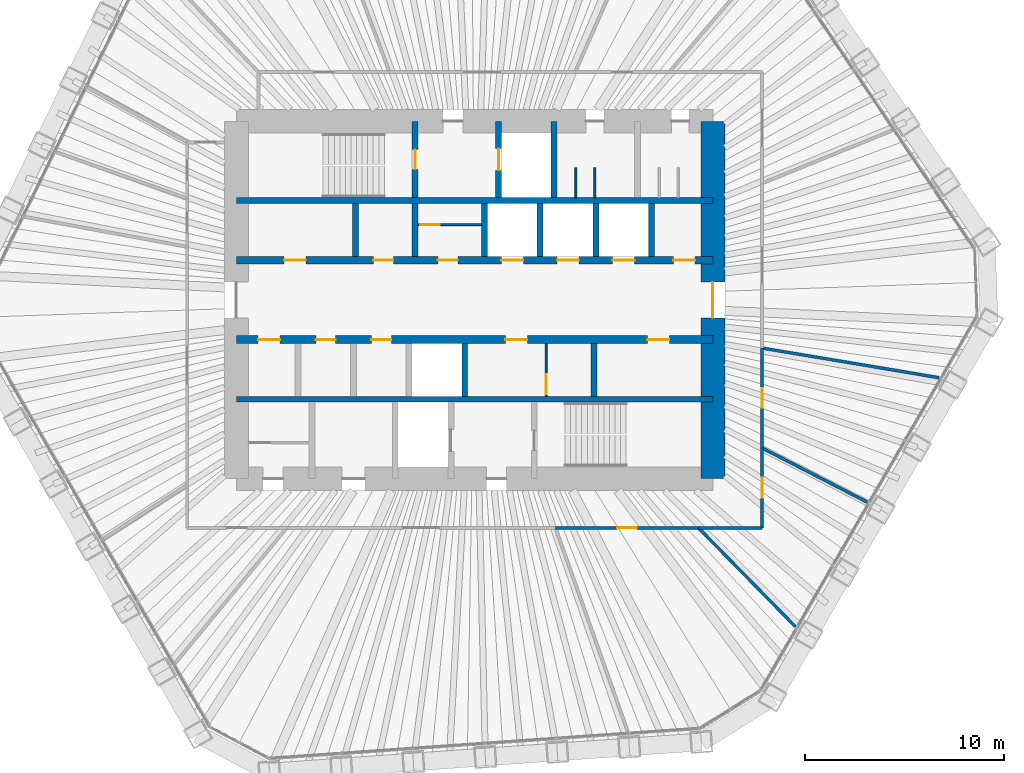
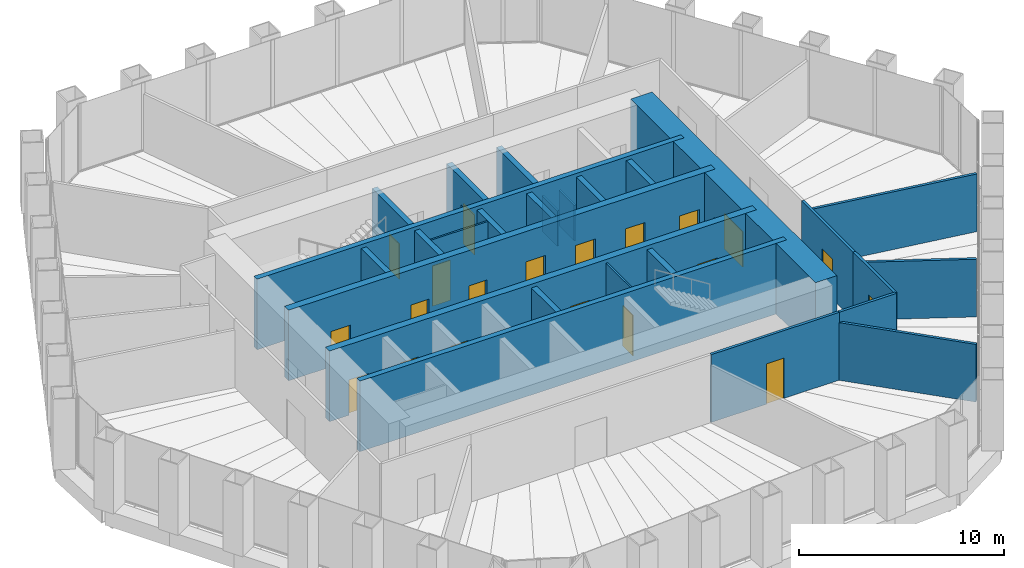
# One storey, part 11 of 13: 27 walls, 20 doors, 20 openings.
"""IFC4 building model written with IfcOpenShell, lengths in metres."""

from ifc_helpers import new_model, si_unit, direction, frame, frame_2d, origin, place, context, subcontext, project, spatial, rectangle, extrude, material, layer, layer_set, type_object, element, fill, save


model = new_model("IFC4")

# Units and contexts
model_context = context("Model", 3, precision=1e-05, world=origin(), true_north=direction((0.0, 1.0)))
body_context = subcontext(model_context, "Body", "Model", "MODEL_VIEW")
ifc_project = project(units=[si_unit("LENGTHUNIT", "METRE"), si_unit("AREAUNIT", "SQUARE_METRE"), si_unit("VOLUMEUNIT", "CUBIC_METRE"), si_unit("PLANEANGLEUNIT", "RADIAN"), si_unit("MASSUNIT", "GRAM", prefix="KILO")], contexts=[model_context])

# Site, building, storey
site_placement = place(None, origin())
site = spatial("IfcSite", under=ifc_project, at=site_placement, CompositionType="ELEMENT")
building_placement = place(site_placement, origin())
building = spatial("IfcBuilding", under=site, at=building_placement, Name="Qingtian Harvest Tower", CompositionType="ELEMENT")
storey_placement = place(building_placement, frame((0.0, 0.0, 193.0)))
storey = spatial("IfcBuildingStorey", under=building, at=storey_placement, Name="L41", CompositionType="ELEMENT", Elevation=193.0)

# Walls
ifc_material_1 = material(Name="Concrete fc' 70 MPa", Category="concrete")
ifc_layer_1 = layer(ifc_material_1, 0.300048828125)
ifc_layer_set_1 = layer_set([ifc_layer_1], Name="Core inner wall RC5 300")
wall_type_1 = type_object("IfcWallType", Name="Core inner wall RC5 300", PredefinedType="SHEAR", material=ifc_layer_set_1)
for number, where, z_axis, x_axis, name in (
    (1, (-12.0, 5.0, 0.0), (0.0, 0.0, 1.0), (1.0, 0.0, 0.0), "Core wall IN5 L41"),
    (2, (-12.0, -5.0, 0.0), (0.0, 0.0, 1.0), (1.0, 0.0, 0.0), "Core wall IS5 L41"),
):
    element("IfcWall", number, at=place(storey_placement, frame(where, z_axis=z_axis, x_axis=x_axis)), inside=storey, type_object=wall_type_1, Name=name, PredefinedType="SHEAR", context=body_context, shape_type="SweptSolid", body=[
        extrude(rectangle(XDim=24.0, YDim=0.300048828125, at=frame_2d((12.0, 0.0))), origin(), (0.0, 0.0, 1.0), 4.199951171875),
    ])

# Wall, openings, doors
ifc_material_2 = material(Name="Concrete fc' 70 MPa", Category="concrete")
ifc_layer_2 = layer(ifc_material_2, 0.39990234375)
ifc_layer_set_2 = layer_set([ifc_layer_2], Name="Core inner web RC6 400")
wall_type_2 = type_object("IfcWallType", Name="Core inner web RC6 400", PredefinedType="SHEAR", material=ifc_layer_set_2)
wall_1_placement = place(storey_placement, frame((-12.0, 2.0, 0.0), z_axis=(0.0, 0.0, 1.0), x_axis=(1.0, 0.0, 0.0)))
wall_1 = element("IfcWall", 3, at=wall_1_placement, inside=storey, type_object=wall_type_2, Name="Core wall IN2 L41", PredefinedType="SHEAR", context=body_context, shape_type="SweptSolid", body=[
    extrude(rectangle(XDim=24.0, YDim=0.39990234375, at=frame_2d((12.0, 0.0))), origin(), (0.0, 0.0, 1.0), 4.199951171875),
])
opening_1_placement = place(wall_1_placement, frame((2.39990234375, 0.0, 0.0)))
opening_1 = element("IfcOpeningElement", 4, at=opening_1_placement, cuts=wall_1, Name="Opening FD4", PredefinedType="OPENING", context=body_context, shape_type="SweptSolid", body=[
    extrude(rectangle(XDim=1.10009765625, YDim=2.10009765625, at=frame_2d((0.550048828125, 1.050048828125))), frame((0.0, 0.2099609375, 0.0), z_axis=(0.0, -1.0, 0.0), x_axis=(1.0, 0.0, 0.0)), (0.0, 0.0, 1.0), 0.419921875),
])
opening_2_placement = place(wall_1_placement, frame((22.0, 0.0, 0.0)))
opening_2 = element("IfcOpeningElement", 5, at=opening_2_placement, cuts=wall_1, Name="Opening FD4", PredefinedType="OPENING", context=body_context, shape_type="SweptSolid", body=[
    extrude(rectangle(XDim=1.10009765625, YDim=2.10009765625, at=frame_2d((0.550048828125, 1.050048828125))), frame((0.0, 0.2099609375, 0.0), z_axis=(0.0, -1.0, 0.0), x_axis=(1.0, 0.0, 0.0)), (0.0, 0.0, 1.0), 0.419921875),
])
opening_3_placement = place(wall_1_placement, frame((10.14990234375, 0.0, 0.0)))
opening_3 = element("IfcOpeningElement", 6, at=opening_3_placement, cuts=wall_1, Name="Opening FD1", PredefinedType="OPENING", context=body_context, shape_type="SweptSolid", body=[
    extrude(rectangle(XDim=1.0, YDim=2.10009765625, at=frame_2d((0.5, 1.050048828125))), frame((0.0, 0.2099609375, 0.0), z_axis=(0.0, -1.0, 0.0), x_axis=(1.0, 0.0, 0.0)), (0.0, 0.0, 1.0), 0.419921875),
])
opening_4_placement = place(wall_1_placement, frame((6.89990234375, 0.0, 0.0)))
opening_4 = element("IfcOpeningElement", 7, at=opening_4_placement, cuts=wall_1, Name="Opening FD1", PredefinedType="OPENING", context=body_context, shape_type="SweptSolid", body=[
    extrude(rectangle(XDim=1.0, YDim=2.10009765625, at=frame_2d((0.5, 1.050048828125))), frame((0.0, 0.2099609375, 0.0), z_axis=(0.0, -1.0, 0.0), x_axis=(1.0, 0.0, 0.0)), (0.0, 0.0, 1.0), 0.419921875),
])
opening_5_placement = place(wall_1_placement, frame((13.35009765625, 0.0, 0.0)))
opening_5 = element("IfcOpeningElement", 8, at=opening_5_placement, cuts=wall_1, Name="Opening LD1", PredefinedType="OPENING", context=body_context, shape_type="SweptSolid", body=[
    extrude(rectangle(XDim=1.10009765625, YDim=2.39990234375, at=frame_2d((0.550048828125, 1.199951171875))), frame((0.0, 0.2099609375, 0.0), z_axis=(0.0, -1.0, 0.0), x_axis=(1.0, 0.0, 0.0)), (0.0, 0.0, 1.0), 0.419921875),
])
opening_6_placement = place(wall_1_placement, frame((16.14990234375, 0.0, 0.0)))
opening_6 = element("IfcOpeningElement", 9, at=opening_6_placement, cuts=wall_1, Name="Opening LD1", PredefinedType="OPENING", context=body_context, shape_type="SweptSolid", body=[
    extrude(rectangle(XDim=1.10009765625, YDim=2.39990234375, at=frame_2d((0.550048828125, 1.199951171875))), frame((0.0, 0.2099609375, 0.0), z_axis=(0.0, -1.0, 0.0), x_axis=(1.0, 0.0, 0.0)), (0.0, 0.0, 1.0), 0.419921875),
])
opening_7_placement = place(wall_1_placement, frame((18.949951171875, 0.0, 0.0)))
opening_7 = element("IfcOpeningElement", 10, at=opening_7_placement, cuts=wall_1, Name="Opening LD1", PredefinedType="OPENING", context=body_context, shape_type="SweptSolid", body=[
    extrude(rectangle(XDim=1.10009765625, YDim=2.39990234375, at=frame_2d((0.550048828125, 1.199951171875))), frame((0.0, 0.2099609375, 0.0), z_axis=(0.0, -1.0, 0.0), x_axis=(1.0, 0.0, 0.0)), (0.0, 0.0, 1.0), 0.419921875),
])
ifc_material_3 = material(Name="Steel-faced door leaf", Category="steel")
door_type_1 = type_object("IfcDoorType", Name="Fire door FD1 single 1 HR", OperationType="SINGLE_SWING_LEFT", PredefinedType="DOOR", material=ifc_material_3)
door_1_placement = place(opening_3_placement, origin())
door_1 = element("IfcDoor", 11, at=door_1_placement, inside=storey, type_object=door_type_1, Name="STA door L41", OperationType="SINGLE_SWING_LEFT", OverallHeight=2.10009765625, OverallWidth=1.0, PredefinedType="DOOR", context=body_context, shape_type="SweptSolid", body=[
    extrude(rectangle(XDim=1.0, YDim=2.10009765625, at=frame_2d((0.5, 1.050048828125))), frame((0.0, 0.02490234375, 0.0), z_axis=(0.0, -1.0, 0.0), x_axis=(1.0, 0.0, 0.0)), (0.0, 0.0, 1.0), 0.050048828125),
])
fill(opening_3, door_1)
door_2_placement = place(opening_4_placement, origin())
door_2 = element("IfcDoor", 12, at=door_2_placement, inside=storey, type_object=door_type_1, Name="Pantry door L41", OperationType="SINGLE_SWING_LEFT", OverallHeight=2.10009765625, OverallWidth=1.0, PredefinedType="DOOR", context=body_context, shape_type="SweptSolid", body=[
    extrude(rectangle(XDim=1.0, YDim=2.10009765625, at=frame_2d((0.5, 1.050048828125))), frame((0.0, 0.02490234375, 0.0), z_axis=(0.0, -1.0, 0.0), x_axis=(1.0, 0.0, 0.0)), (0.0, 0.0, 1.0), 0.050048828125),
])
fill(opening_4, door_2)
ifc_material_4 = material(Name="Steel-faced door leaf", Category="steel")
door_type_2 = type_object("IfcDoorType", Name="Fire door FD4 single 2 HR", OperationType="SINGLE_SWING_LEFT", PredefinedType="DOOR", material=ifc_material_4)
door_3_placement = place(opening_1_placement, origin())
door_3 = element("IfcDoor", 13, at=door_3_placement, inside=storey, type_object=door_type_2, Name="RA door L41", OperationType="SINGLE_SWING_LEFT", OverallHeight=2.10009765625, OverallWidth=1.10009765625, PredefinedType="DOOR", context=body_context, shape_type="SweptSolid", body=[
    extrude(rectangle(XDim=1.10009765625, YDim=2.10009765625, at=frame_2d((0.550048828125, 1.050048828125))), frame((0.0, 0.02490234375, 0.0), z_axis=(0.0, -1.0, 0.0), x_axis=(1.0, 0.0, 0.0)), (0.0, 0.0, 1.0), 0.050048828125),
])
fill(opening_1, door_3)
door_4_placement = place(opening_2_placement, origin())
door_4 = element("IfcDoor", 14, at=door_4_placement, inside=storey, type_object=door_type_2, Name="AHU door L41", OperationType="SINGLE_SWING_RIGHT", OverallHeight=2.10009765625, OverallWidth=1.10009765625, PredefinedType="DOOR", context=body_context, shape_type="SweptSolid", body=[
    extrude(rectangle(XDim=1.10009765625, YDim=2.10009765625, at=frame_2d((0.550048828125, 1.050048828125))), frame((0.0, 0.02490234375, 0.0), z_axis=(0.0, -1.0, 0.0), x_axis=(1.0, 0.0, 0.0)), (0.0, 0.0, 1.0), 0.050048828125),
])
fill(opening_2, door_4)
ifc_material_5 = material(Name="Stainless steel lift landing door", Category="steel")
door_type_3 = type_object("IfcDoorType", Name="Lift landing door LD1 1 HR", OperationType="DOUBLE_DOOR_SLIDING", PredefinedType="DOOR", material=ifc_material_5)
door_5_placement = place(opening_5_placement, origin())
door_5 = element("IfcDoor", 15, at=door_5_placement, inside=storey, type_object=door_type_3, Name="PLC1 landing door L41", OperationType="DOUBLE_DOOR_SLIDING", OverallHeight=2.39990234375, OverallWidth=1.10009765625, PredefinedType="DOOR", context=body_context, shape_type="SweptSolid", body=[
    extrude(rectangle(XDim=1.10009765625, YDim=2.39990234375, at=frame_2d((0.550048828125, 1.199951171875))), frame((0.0, 0.02490234375, 0.0), z_axis=(0.0, -1.0, 0.0), x_axis=(1.0, 0.0, 0.0)), (0.0, 0.0, 1.0), 0.050048828125),
])
fill(opening_5, door_5)
door_6_placement = place(opening_6_placement, origin())
door_6 = element("IfcDoor", 16, at=door_6_placement, inside=storey, type_object=door_type_3, Name="PLC2 landing door L41", OperationType="DOUBLE_DOOR_SLIDING", OverallHeight=2.39990234375, OverallWidth=1.10009765625, PredefinedType="DOOR", context=body_context, shape_type="SweptSolid", body=[
    extrude(rectangle(XDim=1.10009765625, YDim=2.39990234375, at=frame_2d((0.550048828125, 1.199951171875))), frame((0.0, 0.02490234375, 0.0), z_axis=(0.0, -1.0, 0.0), x_axis=(1.0, 0.0, 0.0)), (0.0, 0.0, 1.0), 0.050048828125),
])
fill(opening_6, door_6)
door_7_placement = place(opening_7_placement, origin())
door_7 = element("IfcDoor", 17, at=door_7_placement, inside=storey, type_object=door_type_3, Name="PLC3 landing door L41", OperationType="DOUBLE_DOOR_SLIDING", OverallHeight=2.39990234375, OverallWidth=1.10009765625, PredefinedType="DOOR", context=body_context, shape_type="SweptSolid", body=[
    extrude(rectangle(XDim=1.10009765625, YDim=2.39990234375, at=frame_2d((0.550048828125, 1.199951171875))), frame((0.0, 0.02490234375, 0.0), z_axis=(0.0, -1.0, 0.0), x_axis=(1.0, 0.0, 0.0)), (0.0, 0.0, 1.0), 0.050048828125),
])
fill(opening_7, door_7)

wall_2_placement = place(storey_placement, frame((-12.0, -2.0, 0.0), z_axis=(0.0, 0.0, 1.0), x_axis=(1.0, 0.0, 0.0)))
wall_2 = element("IfcWall", 18, at=wall_2_placement, inside=storey, type_object=wall_type_2, Name="Core wall IS2 L41", PredefinedType="SHEAR", context=body_context, shape_type="SweptSolid", body=[
    extrude(rectangle(XDim=24.0, YDim=0.39990234375, at=frame_2d((12.0, 0.0))), origin(), (0.0, 0.0, 1.0), 4.199951171875),
])
opening_8_placement = place(wall_2_placement, frame((1.10009765625, 0.0, 0.0)))
opening_8 = element("IfcOpeningElement", 19, at=opening_8_placement, cuts=wall_2, Name="Opening FD4", PredefinedType="OPENING", context=body_context, shape_type="SweptSolid", body=[
    extrude(rectangle(XDim=1.10009765625, YDim=2.10009765625, at=frame_2d((0.550048828125, 1.050048828125))), frame((0.0, 0.2099609375, 0.0), z_axis=(0.0, -1.0, 0.0), x_axis=(1.0, 0.0, 0.0)), (0.0, 0.0, 1.0), 0.419921875),
])
opening_9_placement = place(wall_2_placement, frame((13.550048828125, 0.0, 0.0)))
opening_9 = element("IfcOpeningElement", 20, at=opening_9_placement, cuts=wall_2, Name="Opening FD4", PredefinedType="OPENING", context=body_context, shape_type="SweptSolid", body=[
    extrude(rectangle(XDim=1.10009765625, YDim=2.10009765625, at=frame_2d((0.550048828125, 1.050048828125))), frame((0.0, 0.2099609375, 0.0), z_axis=(0.0, -1.0, 0.0), x_axis=(1.0, 0.0, 0.0)), (0.0, 0.0, 1.0), 0.419921875),
])
opening_10_placement = place(wall_2_placement, frame((20.699951171875, 0.0, 0.0)))
opening_10 = element("IfcOpeningElement", 21, at=opening_10_placement, cuts=wall_2, Name="Opening FD4", PredefinedType="OPENING", context=body_context, shape_type="SweptSolid", body=[
    extrude(rectangle(XDim=1.10009765625, YDim=2.10009765625, at=frame_2d((0.550048828125, 1.050048828125))), frame((0.0, 0.2099609375, 0.0), z_axis=(0.0, -1.0, 0.0), x_axis=(1.0, 0.0, 0.0)), (0.0, 0.0, 1.0), 0.419921875),
])
opening_11_placement = place(wall_2_placement, frame((4.0, 0.0, 0.0)))
opening_11 = element("IfcOpeningElement", 22, at=opening_11_placement, cuts=wall_2, Name="Opening FD1", PredefinedType="OPENING", context=body_context, shape_type="SweptSolid", body=[
    extrude(rectangle(XDim=1.0, YDim=2.10009765625, at=frame_2d((0.5, 1.050048828125))), frame((0.0, 0.2099609375, 0.0), z_axis=(0.0, -1.0, 0.0), x_axis=(1.0, 0.0, 0.0)), (0.0, 0.0, 1.0), 0.419921875),
])
opening_12_placement = place(wall_2_placement, frame((6.800048828125, 0.0, 0.0)))
opening_12 = element("IfcOpeningElement", 23, at=opening_12_placement, cuts=wall_2, Name="Opening FD1", PredefinedType="OPENING", context=body_context, shape_type="SweptSolid", body=[
    extrude(rectangle(XDim=1.0, YDim=2.10009765625, at=frame_2d((0.5, 1.050048828125))), frame((0.0, 0.2099609375, 0.0), z_axis=(0.0, -1.0, 0.0), x_axis=(1.0, 0.0, 0.0)), (0.0, 0.0, 1.0), 0.419921875),
])
door_8_placement = place(opening_11_placement, origin())
door_8 = element("IfcDoor", 24, at=door_8_placement, inside=storey, type_object=door_type_1, Name="Store door L41", OperationType="SINGLE_SWING_RIGHT", OverallHeight=2.10009765625, OverallWidth=1.0, PredefinedType="DOOR", context=body_context, shape_type="SweptSolid", body=[
    extrude(rectangle(XDim=1.0, YDim=2.10009765625, at=frame_2d((0.5, 1.050048828125))), frame((0.0, 0.02490234375, 0.0), z_axis=(0.0, -1.0, 0.0), x_axis=(1.0, 0.0, 0.0)), (0.0, 0.0, 1.0), 0.050048828125),
])
fill(opening_11, door_8)
door_9_placement = place(opening_12_placement, origin())
door_9 = element("IfcDoor", 25, at=door_9_placement, inside=storey, type_object=door_type_1, Name="Linen store door L41", OperationType="SINGLE_SWING_RIGHT", OverallHeight=2.10009765625, OverallWidth=1.0, PredefinedType="DOOR", context=body_context, shape_type="SweptSolid", body=[
    extrude(rectangle(XDim=1.0, YDim=2.10009765625, at=frame_2d((0.5, 1.050048828125))), frame((0.0, 0.02490234375, 0.0), z_axis=(0.0, -1.0, 0.0), x_axis=(1.0, 0.0, 0.0)), (0.0, 0.0, 1.0), 0.050048828125),
])
fill(opening_12, door_9)
door_10_placement = place(opening_8_placement, origin())
door_10 = element("IfcDoor", 26, at=door_10_placement, inside=storey, type_object=door_type_2, Name="RB door L41", OperationType="SINGLE_SWING_RIGHT", OverallHeight=2.10009765625, OverallWidth=1.10009765625, PredefinedType="DOOR", context=body_context, shape_type="SweptSolid", body=[
    extrude(rectangle(XDim=1.10009765625, YDim=2.10009765625, at=frame_2d((0.550048828125, 1.050048828125))), frame((0.0, 0.02490234375, 0.0), z_axis=(0.0, -1.0, 0.0), x_axis=(1.0, 0.0, 0.0)), (0.0, 0.0, 1.0), 0.050048828125),
])
fill(opening_8, door_10)
door_11_placement = place(opening_9_placement, origin())
door_11 = element("IfcDoor", 27, at=door_11_placement, inside=storey, type_object=door_type_2, Name="ELEC door L41", OperationType="SINGLE_SWING_LEFT", OverallHeight=2.10009765625, OverallWidth=1.10009765625, PredefinedType="DOOR", context=body_context, shape_type="SweptSolid", body=[
    extrude(rectangle(XDim=1.10009765625, YDim=2.10009765625, at=frame_2d((0.550048828125, 1.050048828125))), frame((0.0, 0.02490234375, 0.0), z_axis=(0.0, -1.0, 0.0), x_axis=(1.0, 0.0, 0.0)), (0.0, 0.0, 1.0), 0.050048828125),
])
fill(opening_9, door_11)
door_12_placement = place(opening_10_placement, origin())
door_12 = element("IfcDoor", 28, at=door_12_placement, inside=storey, type_object=door_type_2, Name="DUCT door L41", OperationType="SINGLE_SWING_LEFT", OverallHeight=2.10009765625, OverallWidth=1.10009765625, PredefinedType="DOOR", context=body_context, shape_type="SweptSolid", body=[
    extrude(rectangle(XDim=1.10009765625, YDim=2.10009765625, at=frame_2d((0.550048828125, 1.050048828125))), frame((0.0, 0.02490234375, 0.0), z_axis=(0.0, -1.0, 0.0), x_axis=(1.0, 0.0, 0.0)), (0.0, 0.0, 1.0), 0.050048828125),
])
fill(opening_10, door_12)

# Wall, opening, door
ifc_material_6 = material(Name="Precast concrete shaft panel", Category="concrete")
ifc_layer_3 = layer(ifc_material_6, 0.300048828125)
ifc_layer_set_3 = layer_set([ifc_layer_3], Name="Core shaft partition SW1 300")
wall_type_3 = type_object("IfcWallType", Name="Core shaft partition SW1 300", PredefinedType="PARTITIONING", material=ifc_layer_set_3)
wall_3_placement = place(storey_placement, frame((-3.0, 5.14990234375, 0.0), z_axis=(0.0, 0.0, 1.0), x_axis=(0.0, 1.0, 0.0)))
wall_3 = element("IfcWall", 29, at=wall_3_placement, inside=storey, type_object=wall_type_3, Name="Core shaft partition XN1 L41", PredefinedType="PARTITIONING", context=body_context, shape_type="SweptSolid", body=[
    extrude(rectangle(XDim=3.85009765625, YDim=0.300048828125, at=frame_2d((1.925048828125, 0.0))), origin(), (0.0, 0.0, 1.0), 3.97998046875),
])
opening_13_placement = place(wall_3_placement, frame((1.425048828125, 0.0, 0.0)))
opening_13 = element("IfcOpeningElement", 30, at=opening_13_placement, cuts=wall_3, Name="Opening FD1", PredefinedType="OPENING", context=body_context, shape_type="SweptSolid", body=[
    extrude(rectangle(XDim=1.0, YDim=2.10009765625, at=frame_2d((0.5, 1.050048828125))), frame((0.0, 0.159912109375, 0.0), z_axis=(0.0, -1.0, 0.0), x_axis=(1.0, 0.0, 0.0)), (0.0, 0.0, 1.0), 0.320068359375),
])
door_13_placement = place(opening_13_placement, origin())
door_13 = element("IfcDoor", 31, at=door_13_placement, inside=storey, type_object=door_type_1, Name="S1 door L41", OperationType="SINGLE_SWING_LEFT", OverallHeight=2.10009765625, OverallWidth=1.0, PredefinedType="DOOR", context=body_context, shape_type="SweptSolid", body=[
    extrude(rectangle(XDim=1.0, YDim=2.10009765625, at=frame_2d((0.5, 1.050048828125))), frame((0.0, 0.02490234375, 0.0), z_axis=(0.0, -1.0, 0.0), x_axis=(1.0, 0.0, 0.0)), (0.0, 0.0, 1.0), 0.050048828125),
])
fill(opening_13, door_13)

wall_4_placement = place(storey_placement, frame((1.199951171875, 5.14990234375, 0.0), z_axis=(0.0, 0.0, 1.0), x_axis=(0.0, 1.0, 0.0)))
wall_4 = element("IfcWall", 32, at=wall_4_placement, inside=storey, type_object=wall_type_3, Name="Core shaft partition XN2 L41", PredefinedType="PARTITIONING", context=body_context, shape_type="SweptSolid", body=[
    extrude(rectangle(XDim=3.85009765625, YDim=0.300048828125, at=frame_2d((1.925048828125, 0.0))), origin(), (0.0, 0.0, 1.0), 3.97998046875),
])
opening_14_placement = place(wall_4_placement, frame((1.375, 0.0, 0.0)))
opening_14 = element("IfcOpeningElement", 33, at=opening_14_placement, cuts=wall_4, Name="Opening LD1", PredefinedType="OPENING", context=body_context, shape_type="SweptSolid", body=[
    extrude(rectangle(XDim=1.10009765625, YDim=2.39990234375, at=frame_2d((0.550048828125, 1.199951171875))), frame((0.0, 0.159912109375, 0.0), z_axis=(0.0, -1.0, 0.0), x_axis=(1.0, 0.0, 0.0)), (0.0, 0.0, 1.0), 0.320068359375),
])
door_14_placement = place(opening_14_placement, origin())
door_14 = element("IfcDoor", 34, at=door_14_placement, inside=storey, type_object=door_type_3, Name="FL1 landing door L41", OperationType="DOUBLE_DOOR_SLIDING", OverallHeight=2.39990234375, OverallWidth=1.10009765625, PredefinedType="DOOR", context=body_context, shape_type="SweptSolid", body=[
    extrude(rectangle(XDim=1.10009765625, YDim=2.39990234375, at=frame_2d((0.550048828125, 1.199951171875))), frame((0.0, 0.02490234375, 0.0), z_axis=(0.0, -1.0, 0.0), x_axis=(1.0, 0.0, 0.0)), (0.0, 0.0, 1.0), 0.050048828125),
])
fill(opening_14, door_14)

# Walls
wall_5_placement = place(storey_placement, frame((4.0, 5.14990234375, 0.0), z_axis=(0.0, 0.0, 1.0), x_axis=(0.0, 1.0, 0.0)))
element("IfcWall", 35, at=wall_5_placement, inside=storey, type_object=wall_type_3, Name="Core shaft partition XN3 L41", PredefinedType="PARTITIONING", context=body_context, shape_type="SweptSolid", body=[
    extrude(rectangle(XDim=3.85009765625, YDim=0.300048828125, at=frame_2d((1.925048828125, 0.0))), origin(), (0.0, 0.0, 1.0), 3.97998046875),
])
for number, where, z_axis, x_axis, name in (
    (36, (-6.0, 2.199951171875, 0.0), (0.0, 0.0, 1.0), (0.0, 1.0, 0.0), "Core shaft partition XA1 L41"),
    (37, (-3.0, 2.199951171875, 0.0), (0.0, 0.0, 1.0), (0.0, 1.0, 0.0), "Core shaft partition XA2 L41"),
    (38, (0.5, 2.199951171875, 0.0), (0.0, 0.0, 1.0), (0.0, 1.0, 0.0), "Core shaft partition XA3 L41"),
    (39, (3.300048828125, 2.199951171875, 0.0), (0.0, 0.0, 1.0), (0.0, 1.0, 0.0), "Core shaft partition XA4 L41"),
    (40, (6.10009765625, 2.199951171875, 0.0), (0.0, 0.0, 1.0), (0.0, 1.0, 0.0), "Core shaft partition XA5 L41"),
    (41, (8.89990234375, 2.199951171875, 0.0), (0.0, 0.0, 1.0), (0.0, 1.0, 0.0), "Core shaft partition XA6 L41"),
    (42, (-0.5, -4.85009765625, 0.0), (0.0, 0.0, 1.0), (0.0, 1.0, 0.0), "Core shaft partition XB4 L41"),
    (43, (6.0, -4.85009765625, 0.0), (0.0, 0.0, 1.0), (0.0, 1.0, 0.0), "Core shaft partition XB5 L41"),
):
    element("IfcWall", number, at=place(storey_placement, frame(where, z_axis=z_axis, x_axis=x_axis)), inside=storey, type_object=wall_type_3, Name=name, PredefinedType="PARTITIONING", context=body_context, shape_type="SweptSolid", body=[
        extrude(rectangle(XDim=2.650146484375, YDim=0.300048828125, at=frame_2d((1.3251953125, 0.0))), origin(), (0.0, 0.0, 1.0), 3.97998046875),
    ])

# Wall, opening, door
ifc_material_7 = material(Name="Concrete fc' 70 MPa", Category="concrete")
ifc_layer_4 = layer(ifc_material_7, 1.199951171875)
ifc_layer_set_4 = layer_set([ifc_layer_4], Name="Core wall RC2 1200")
wall_type_4 = type_object("IfcWallType", Name="Core wall RC2 1200", PredefinedType="SHEAR", material=ifc_layer_set_4)
wall_6_placement = place(storey_placement, frame((12.0, -9.0, 0.0), z_axis=(0.0, 0.0, 1.0), x_axis=(0.0, 1.0, 0.0)))
wall_6 = element("IfcWall", 44, at=wall_6_placement, inside=storey, type_object=wall_type_4, Name="Core wall CE L41", PredefinedType="SHEAR", context=body_context, shape_type="SweptSolid", body=[
    extrude(rectangle(XDim=18.0, YDim=1.199951171875, at=frame_2d((9.0, 0.0))), origin(), (0.0, 0.0, 1.0), 4.199951171875),
])
opening_15_placement = place(wall_6_placement, frame((8.10009765625, 0.0, 0.0)))
opening_15 = element("IfcOpeningElement", 45, at=opening_15_placement, cuts=wall_6, Name="Opening FD2", PredefinedType="OPENING", context=body_context, shape_type="SweptSolid", body=[
    extrude(rectangle(XDim=1.800048828125, YDim=2.10009765625, at=frame_2d((0.89990234375, 1.050048828125))), frame((0.0, 0.60986328125, 0.0), z_axis=(0.0, -1.0, 0.0), x_axis=(1.0, 0.0, 0.0)), (0.0, 0.0, 1.0), 1.219970703125),
])
ifc_material_8 = material(Name="Steel-faced door leaf", Category="steel")
door_type_4 = type_object("IfcDoorType", Name="Fire door FD2 double 1 HR", OperationType="DOUBLE_DOOR_DOUBLE_SWING", PredefinedType="DOOR", material=ifc_material_8)
door_15_placement = place(opening_15_placement, origin())
door_15 = element("IfcDoor", 46, at=door_15_placement, inside=storey, type_object=door_type_4, Name="LOBBY-E door L41", OperationType="DOUBLE_DOOR_DOUBLE_SWING", OverallHeight=2.10009765625, OverallWidth=1.800048828125, PredefinedType="DOOR", context=body_context, shape_type="SweptSolid", body=[
    extrude(rectangle(XDim=1.800048828125, YDim=2.10009765625, at=frame_2d((0.89990234375, 1.050048828125))), frame((0.0, 0.02490234375, 0.0), z_axis=(0.0, -1.0, 0.0), x_axis=(1.0, 0.0, 0.0)), (0.0, 0.0, 1.0), 0.050048828125),
])
fill(opening_15, door_15)

# Wall
ifc_material_9 = material(Name="Gypsum board on steel studs", Category="steel")
ifc_layer_5 = layer(ifc_material_9, 0.14990234375)
ifc_layer_set_5 = layer_set([ifc_layer_5], Name="Partition PT1 150")
wall_type_5 = type_object("IfcWallType", Name="Partition PT1 150", PredefinedType="PARTITIONING", material=ifc_layer_set_5)
wall_7_placement = place(storey_placement, frame((23.383056640625, -3.912109375, 0.0), z_axis=(0.0, 0.0, 1.0), x_axis=(-0.986293651891, 0.164999491631, 0.0)))
element("IfcWall", 47, at=wall_7_placement, inside=storey, type_object=wall_type_5, Name="Pantry wall L41", PredefinedType="PARTITIONING", context=body_context, shape_type="SweptSolid", body=[
    extrude(rectangle(XDim=9.03173828125, YDim=0.14990234375, at=frame_2d((4.515869140625, 0.0))), origin(), (0.0, 0.0, 1.0), 3.429931640625),
])

# Wall, opening, door
wall_8_placement = place(storey_placement, frame((14.47509765625, -2.421875, 0.0), z_axis=(0.0, 0.0, 1.0), x_axis=(0.0, -1.0, 0.0)))
wall_8 = element("IfcWall", 48, at=wall_8_placement, inside=storey, type_object=wall_type_5, Name="Pantry wall L41", PredefinedType="PARTITIONING", context=body_context, shape_type="SweptSolid", body=[
    extrude(rectangle(XDim=5.033203125, YDim=0.14990234375, at=frame_2d((2.5166015625, 0.0))), origin(), (0.0, 0.0, 1.0), 4.030029296875),
])
opening_16_placement = place(wall_8_placement, frame((2.0166015625, 0.0, 0.0)))
opening_16 = element("IfcOpeningElement", 49, at=opening_16_placement, cuts=wall_8, Name="Opening D2", PredefinedType="OPENING", context=body_context, shape_type="SweptSolid", body=[
    extrude(rectangle(XDim=1.0, YDim=2.39990234375, at=frame_2d((0.5, 1.199951171875))), frame((0.0, 0.0849609375, 0.0), z_axis=(0.0, -1.0, 0.0), x_axis=(1.0, 0.0, 0.0)), (0.0, 0.0, 1.0), 0.169921875),
])
ifc_material_10 = material(Name="Laminated timber door leaf", Category="wood")
door_type_5 = type_object("IfcDoorType", Name="Room door D2 single", OperationType="SINGLE_SWING_LEFT", PredefinedType="DOOR", material=ifc_material_10)
door_16_placement = place(opening_16_placement, origin())
door_16 = element("IfcDoor", 50, at=door_16_placement, inside=storey, type_object=door_type_5, Name="Pantry door L41", OperationType="SINGLE_SWING_LEFT", OverallHeight=2.39990234375, OverallWidth=1.0, PredefinedType="DOOR", context=body_context, shape_type="SweptSolid", body=[
    extrude(rectangle(XDim=1.0, YDim=2.39990234375, at=frame_2d((0.5, 1.199951171875))), frame((0.0, 0.02490234375, 0.0), z_axis=(0.0, -1.0, 0.0), x_axis=(1.0, 0.0, 0.0)), (0.0, 0.0, 1.0), 0.050048828125),
])
fill(opening_16, door_16)

# Wall
wall_9_placement = place(storey_placement, frame((19.759033203125, -10.176513671875, 0.0), z_axis=(0.0, 0.0, 1.0), x_axis=(-0.889015092721, 0.457877893017, 0.0)))
element("IfcWall", 51, at=wall_9_placement, inside=storey, type_object=wall_type_5, Name="Print room wall L41", PredefinedType="PARTITIONING", context=body_context, shape_type="SweptSolid", body=[
    extrude(rectangle(XDim=5.943603515625, YDim=0.14990234375, at=frame_2d((2.9716796875, 0.0))), origin(), (0.0, 0.0, 1.0), 3.429931640625),
])

# Wall, opening, door
wall_10_placement = place(storey_placement, frame((14.47509765625, -7.455078125, 0.0), z_axis=(0.0, 0.0, 1.0), x_axis=(0.0, -1.0, 0.0)))
wall_10 = element("IfcWall", 52, at=wall_10_placement, inside=storey, type_object=wall_type_5, Name="Print room wall L41", PredefinedType="PARTITIONING", context=body_context, shape_type="SweptSolid", body=[
    extrude(rectangle(XDim=4.02001953125, YDim=0.14990234375, at=frame_2d((2.010009765625, 0.0))), origin(), (0.0, 0.0, 1.0), 4.030029296875),
])
opening_17_placement = place(wall_10_placement, frame((1.510009765625, 0.0, 0.0)))
opening_17 = element("IfcOpeningElement", 53, at=opening_17_placement, cuts=wall_10, Name="Opening D2", PredefinedType="OPENING", context=body_context, shape_type="SweptSolid", body=[
    extrude(rectangle(XDim=1.0, YDim=2.39990234375, at=frame_2d((0.5, 1.199951171875))), frame((0.0, 0.0849609375, 0.0), z_axis=(0.0, -1.0, 0.0), x_axis=(1.0, 0.0, 0.0)), (0.0, 0.0, 1.0), 0.169921875),
])
door_17_placement = place(opening_17_placement, origin())
door_17 = element("IfcDoor", 54, at=door_17_placement, inside=storey, type_object=door_type_5, Name="Print room door L41", OperationType="SINGLE_SWING_LEFT", OverallHeight=2.39990234375, OverallWidth=1.0, PredefinedType="DOOR", context=body_context, shape_type="SweptSolid", body=[
    extrude(rectangle(XDim=1.0, YDim=2.39990234375, at=frame_2d((0.5, 1.199951171875))), frame((0.0, 0.02490234375, 0.0), z_axis=(0.0, -1.0, 0.0), x_axis=(1.0, 0.0, 0.0)), (0.0, 0.0, 1.0), 0.050048828125),
])
fill(opening_17, door_17)

# Walls
wall_11_placement = place(storey_placement, frame((14.47509765625, -11.47509765625, 0.0), z_axis=(0.0, 0.0, 1.0), x_axis=(-1.0, 0.0, 0.0)))
element("IfcWall", 55, at=wall_11_placement, inside=storey, type_object=wall_type_5, Name="Print room wall L41", PredefinedType="PARTITIONING", context=body_context, shape_type="SweptSolid", body=[
    extrude(rectangle(XDim=3.20947265625, YDim=0.14990234375, at=frame_2d((1.604736328125, 0.0))), origin(), (0.0, 0.0, 1.0), 4.030029296875),
])
wall_12_placement = place(storey_placement, frame((16.14453125, -16.4443359375, 0.0), z_axis=(0.0, 0.0, 1.0), x_axis=(-0.700591378209, 0.71356269576, 0.0)))
element("IfcWall", 56, at=wall_12_placement, inside=storey, type_object=wall_type_5, Name="Quiet room wall L41", PredefinedType="PARTITIONING", context=body_context, shape_type="SweptSolid", body=[
    extrude(rectangle(XDim=6.9638671875, YDim=0.14990234375, at=frame_2d((3.48193359375, 0.0))), origin(), (0.0, 0.0, 1.0), 3.429931640625),
])

# Wall, opening, door
wall_13_placement = place(storey_placement, frame((11.265625, -11.47509765625, 0.0), z_axis=(0.0, 0.0, 1.0), x_axis=(-1.0, 0.0, 0.0)))
wall_13 = element("IfcWall", 57, at=wall_13_placement, inside=storey, type_object=wall_type_5, Name="Quiet room wall L41", PredefinedType="PARTITIONING", context=body_context, shape_type="SweptSolid", body=[
    extrude(rectangle(XDim=7.196044921875, YDim=0.14990234375, at=frame_2d((3.59814453125, 0.0))), origin(), (0.0, 0.0, 1.0), 4.030029296875),
])
opening_18_placement = place(wall_13_placement, frame((3.09814453125, 0.0, 0.0)))
opening_18 = element("IfcOpeningElement", 58, at=opening_18_placement, cuts=wall_13, Name="Opening D2", PredefinedType="OPENING", context=body_context, shape_type="SweptSolid", body=[
    extrude(rectangle(XDim=1.0, YDim=2.39990234375, at=frame_2d((0.5, 1.199951171875))), frame((0.0, 0.0849609375, 0.0), z_axis=(0.0, -1.0, 0.0), x_axis=(1.0, 0.0, 0.0)), (0.0, 0.0, 1.0), 0.169921875),
])
door_18_placement = place(opening_18_placement, origin())
door_18 = element("IfcDoor", 59, at=door_18_placement, inside=storey, type_object=door_type_5, Name="Quiet room door L41", OperationType="SINGLE_SWING_LEFT", OverallHeight=2.39990234375, OverallWidth=1.0, PredefinedType="DOOR", context=body_context, shape_type="SweptSolid", body=[
    extrude(rectangle(XDim=1.0, YDim=2.39990234375, at=frame_2d((0.5, 1.199951171875))), frame((0.0, 0.02490234375, 0.0), z_axis=(0.0, -1.0, 0.0), x_axis=(1.0, 0.0, 0.0)), (0.0, 0.0, 1.0), 0.050048828125),
])
fill(opening_18, door_18)

ifc_material_11 = material(Name="Concrete block partition", Category="concrete")
ifc_layer_6 = layer(ifc_material_11, 0.10009765625)
ifc_layer_set_6 = layer_set([ifc_layer_6], Name="Store partition PT3 100")
wall_type_6 = type_object("IfcWallType", Name="Store partition PT3 100", PredefinedType="PARTITIONING", material=ifc_layer_set_6)
wall_14_placement = place(storey_placement, frame((-2.85009765625, 3.800048828125, 0.0), z_axis=(0.0, 0.0, 1.0), x_axis=(1.0, 0.0, 0.0)))
wall_14 = element("IfcWall", 60, at=wall_14_placement, inside=storey, type_object=wall_type_6, Name="Stationery store wall L41", PredefinedType="PARTITIONING", context=body_context, shape_type="SweptSolid", body=[
    extrude(rectangle(XDim=3.2001953125, YDim=0.10009765625, at=frame_2d((1.60009765625, 0.0))), origin(), (0.0, 0.0, 1.0), 3.97998046875),
])
opening_19_placement = place(wall_14_placement, frame((0.10009765625, 0.0, 0.0)))
opening_19 = element("IfcOpeningElement", 61, at=opening_19_placement, cuts=wall_14, Name="Opening D2", PredefinedType="OPENING", context=body_context, shape_type="SweptSolid", body=[
    extrude(rectangle(XDim=1.0, YDim=2.39990234375, at=frame_2d((0.5, 1.199951171875))), frame((0.0, 0.06005859375, 0.0), z_axis=(0.0, -1.0, 0.0), x_axis=(1.0, 0.0, 0.0)), (0.0, 0.0, 1.0), 0.1201171875),
])
door_19_placement = place(opening_19_placement, origin())
door_19 = element("IfcDoor", 62, at=door_19_placement, inside=storey, type_object=door_type_5, Name="Stationery store door L41", OperationType="SINGLE_SWING_RIGHT", OverallHeight=2.39990234375, OverallWidth=1.0, PredefinedType="DOOR", context=body_context, shape_type="SweptSolid", body=[
    extrude(rectangle(XDim=1.0, YDim=2.39990234375, at=frame_2d((0.5, 1.199951171875))), frame((0.0, 0.02490234375, 0.0), z_axis=(0.0, -1.0, 0.0), x_axis=(1.0, 0.0, 0.0)), (0.0, 0.0, 1.0), 0.050048828125),
])
fill(opening_19, door_19)

wall_15_placement = place(storey_placement, frame((3.60009765625, -4.85009765625, 0.0), z_axis=(0.0, 0.0, 1.0), x_axis=(0.0, 1.0, 0.0)))
wall_15 = element("IfcWall", 63, at=wall_15_placement, inside=storey, type_object=wall_type_6, Name="Comms room wall L41", PredefinedType="PARTITIONING", context=body_context, shape_type="SweptSolid", body=[
    extrude(rectangle(XDim=2.650146484375, YDim=0.10009765625, at=frame_2d((1.3251953125, 0.0))), origin(), (0.0, 0.0, 1.0), 3.97998046875),
])
opening_20_placement = place(wall_15_placement, frame((0.10009765625, 0.0, 0.0)))
opening_20 = element("IfcOpeningElement", 64, at=opening_20_placement, cuts=wall_15, Name="Opening D2", PredefinedType="OPENING", context=body_context, shape_type="SweptSolid", body=[
    extrude(rectangle(XDim=1.0, YDim=2.39990234375, at=frame_2d((0.5, 1.199951171875))), frame((0.0, 0.06005859375, 0.0), z_axis=(0.0, -1.0, 0.0), x_axis=(1.0, 0.0, 0.0)), (0.0, 0.0, 1.0), 0.1201171875),
])
door_20_placement = place(opening_20_placement, origin())
door_20 = element("IfcDoor", 65, at=door_20_placement, inside=storey, type_object=door_type_5, Name="Comms room door L41", OperationType="SINGLE_SWING_LEFT", OverallHeight=2.39990234375, OverallWidth=1.0, PredefinedType="DOOR", context=body_context, shape_type="SweptSolid", body=[
    extrude(rectangle(XDim=1.0, YDim=2.39990234375, at=frame_2d((0.5, 1.199951171875))), frame((0.0, 0.02490234375, 0.0), z_axis=(0.0, -1.0, 0.0), x_axis=(1.0, 0.0, 0.0)), (0.0, 0.0, 1.0), 0.050048828125),
])
fill(opening_20, door_20)

# Walls
ifc_material_12 = material(Name="Compact laminate cubicle partition", Category="plastic")
ifc_layer_7 = layer(ifc_material_12, 0.10009765625)
ifc_layer_set_7 = layer_set([ifc_layer_7], Name="WC cubicle partition WP1 100")
wall_type_7 = type_object("IfcWallType", Name="WC cubicle partition WP1 100", PredefinedType="PARTITIONING", material=ifc_layer_set_7)
for number, where, z_axis, x_axis, name in (
    (66, (5.10009765625, 5.14990234375, 0.0), (0.0, 0.0, 1.0), (0.0, 1.0, 0.0), "WC cubicle partition WCM L41"),
    (67, (6.050048828125, 5.14990234375, 0.0), (0.0, 0.0, 1.0), (0.0, 1.0, 0.0), "WC cubicle partition WCM L41"),
):
    element("IfcWall", number, at=place(storey_placement, frame(where, z_axis=z_axis, x_axis=x_axis)), inside=storey, type_object=wall_type_7, Name=name, PredefinedType="PARTITIONING", context=body_context, shape_type="SweptSolid", body=[
        extrude(rectangle(XDim=1.5, YDim=0.10009765625, at=frame_2d((0.75, 0.0))), origin(), (0.0, 0.0, 1.0), 2.10009765625),
    ])

save(model, "model.ifc")
